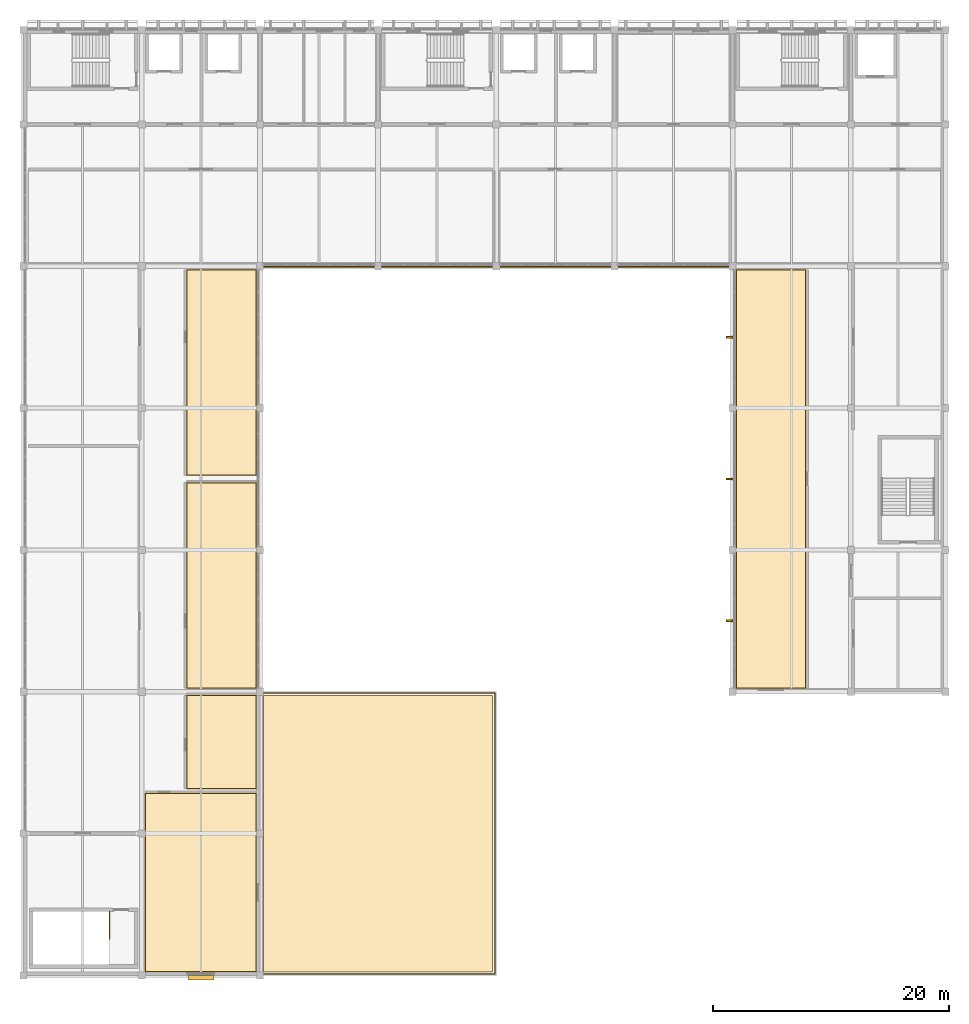
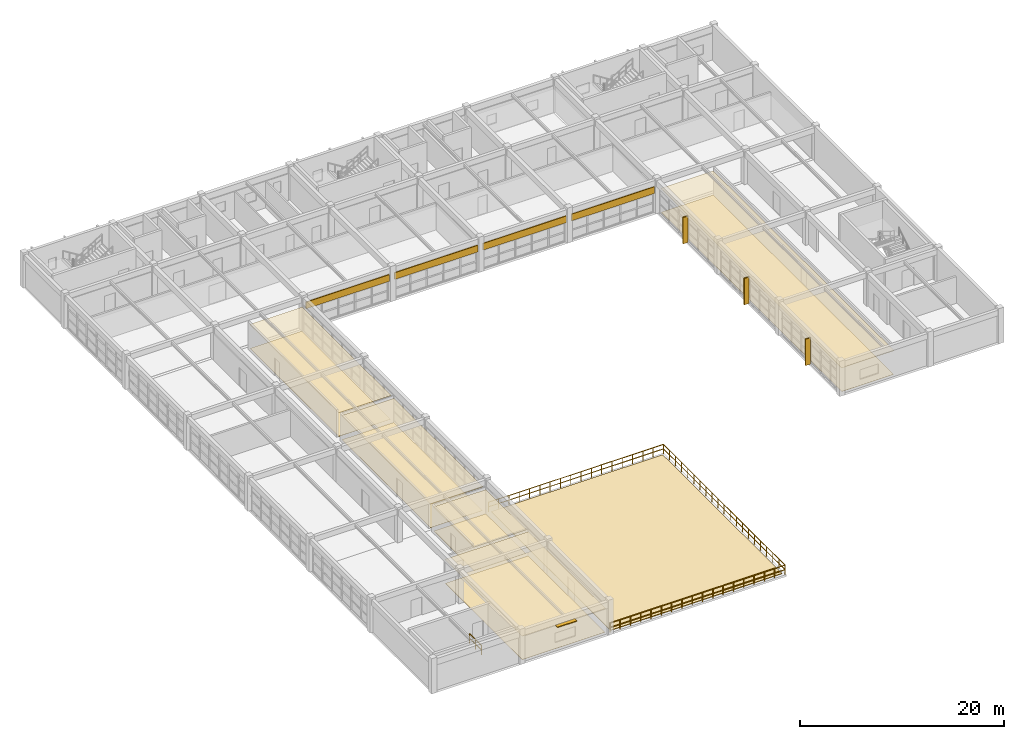
# One storey, part 24 of 28: 15 coverings, 4 railings, 4 shading devices.
"""IFC4 building model written with IfcOpenShell, lengths in metres."""

from ifc_helpers import new_model, si_unit, direction, frame, frame_2d, origin, origin_2d, place, context, subcontext, project, spatial, polyline, rectangle, circle, outline, extrude, material, layer, layer_set, type_object, element, save


model = new_model("IFC4")

# Units and contexts
model_context = context("Model", 3, precision=1e-05, world=origin(), true_north=direction((0.0, 1.0)))
body_context = subcontext(model_context, "Body", "Model", "MODEL_VIEW")
ifc_project = project(units=[si_unit("LENGTHUNIT", "METRE"), si_unit("AREAUNIT", "SQUARE_METRE"), si_unit("VOLUMEUNIT", "CUBIC_METRE"), si_unit("PLANEANGLEUNIT", "RADIAN"), si_unit("MASSUNIT", "GRAM", prefix="KILO")], contexts=[model_context])

# Site, building, storey
site_placement = place(None, origin())
site = spatial("IfcSite", under=ifc_project, at=site_placement, CompositionType="ELEMENT")
building_placement = place(site_placement, origin())
building = spatial("IfcBuilding", under=site, at=building_placement, Name="Kivolera Central Railway Station", CompositionType="ELEMENT")
storey_placement = place(building_placement, frame((0.0, 0.0, 18.60009765625)))
storey = spatial("IfcBuildingStorey", under=building, at=storey_placement, Name="L04", CompositionType="ELEMENT", Elevation=18.60009765625)

# Shading devices
ifc_material_1 = material(Name="Precast concrete C40/50", Category="concrete")
shading_device_type_1 = type_object("IfcShadingDeviceType", Name="BS-FIN-CRT", PredefinedType="USERDEFINED", material=ifc_material_1)
for number, where, z_axis, x_axis, name in (
    (1, (177.735107421875, 84.0, 0.0), (0.0, 0.0, 1.0), (1.0, 0.0, 0.0), "L04 Courtyard East Solar Brise-Soleil Fin G"),
    (2, (177.735107421875, 96.0, 0.0), (0.0, 0.0, 1.0), (1.0, 0.0, 0.0), "L04 Courtyard East Solar Brise-Soleil Fin H"),
    (3, (177.735107421875, 108.0, 0.0), (0.0, 0.0, 1.0), (1.0, 0.0, 0.0), "L04 Courtyard East Solar Brise-Soleil Fin J"),
):
    element("IfcShadingDevice", number, at=place(storey_placement, frame(where, z_axis=z_axis, x_axis=x_axis)), inside=storey, type_object=shading_device_type_1, Name=name, ObjectType="FIN", PredefinedType="USERDEFINED", context=body_context, shape_type="SweptSolid", body=[
        extrude(rectangle(XDim=0.550048828125, YDim=0.139892578125, at=origin_2d()), origin(), (0.0, 0.0, 1.0), 3.14990234375),
    ])
ifc_material_2 = material(Name="Anodised aluminium", Category="aluminium")
ifc_layer_1 = layer(ifc_material_2, 0.080078125, Name="Anodised aluminium")
ifc_layer_set_1 = layer_set([ifc_layer_1], Name="Anodised aluminium")
shading_device_type_2 = type_object("IfcShadingDeviceType", Name="BS-LVR-B", PredefinedType="JALOUSIE", material=ifc_layer_set_1)
shading_device_placement = place(storey_placement, frame((133.0, 53.80810546875, 3.009765625), z_axis=(0.0, 0.0, 1.0), x_axis=(1.0, 0.0, 0.0)))
element("IfcShadingDevice", 4, at=shading_device_placement, inside=storey, type_object=shading_device_type_2, Name="L04 South Monsoon Window Sun-Louvre 128", PredefinedType="JALOUSIE", context=body_context, shape_type="SweptSolid", body=[
    extrude(rectangle(XDim=2.199951171875, YDim=0.39990234375, at=origin_2d()), origin(), (0.0, 0.0, 1.0), 0.080078125),
])

# Coverings
ifc_material_3 = material(Name="Mineral fibre acoustic tile")
ifc_layer_2 = layer(ifc_material_3, 0.02001953125, Name="Mineral fibre acoustic tile")
ifc_layer_set_2 = layer_set([ifc_layer_2], Name="Mineral fibre acoustic tile")
covering_type_1 = type_object("IfcCoveringType", Name="COV-CEIL-20", PredefinedType="CEILING", material=ifc_layer_set_2)
covering_1_placement = place(storey_placement, frame((0.0, 0.0, 2.849853515625)))
element("IfcCovering", 5, at=covering_1_placement, inside=storey, type_object=covering_type_1, Name="L04 Control Floor Refreshment Cafe Acoustic Ceiling", PredefinedType="CEILING", context=body_context, shape_type="SweptSolid", body=[
    extrude(outline(polyline([(131.780029296875, 96.280029296875), (137.719970703125, 96.280029296875), (137.719970703125, 113.719970703125), (131.780029296875, 113.719970703125), (131.780029296875, 96.280029296875)])), origin(), (0.0, 0.0, 1.0), 0.02001953125),
])
covering_2_placement = place(storey_placement, frame((0.0, 0.0, 2.849853515625)))
element("IfcCovering", 6, at=covering_2_placement, inside=storey, type_object=covering_type_1, Name="L04 Rail Diagnostics Analytics Studio Acoustic Ceiling", PredefinedType="CEILING", context=body_context, shape_type="SweptSolid", body=[
    extrude(outline(polyline([(178.280029296875, 78.280029296875), (184.219970703125, 78.280029296875), (184.219970703125, 113.719970703125), (178.280029296875, 113.719970703125), (178.280029296875, 78.280029296875)])), origin(), (0.0, 0.0, 1.0), 0.02001953125),
])
ifc_material_4 = material(Name="Hardwood mvule timber", Category="wood")
ifc_layer_3 = layer(ifc_material_4, 0.02490234375, Name="Hardwood mvule timber")
ifc_layer_set_3 = layer_set([ifc_layer_3], Name="Hardwood mvule timber")
covering_type_2 = type_object("IfcCoveringType", Name="COV-CEIL-25", PredefinedType="CEILING", material=ifc_layer_set_3)
covering_3_placement = place(storey_placement, frame((0.0, 0.0, 2.849853515625)))
element("IfcCovering", 7, at=covering_3_placement, inside=storey, type_object=covering_type_2, Name="L04 Wayside Telemetry Engineering Studio Acoustic Ceiling", PredefinedType="CEILING", context=body_context, shape_type="SweptSolid", body=[
    extrude(outline(polyline([(128.280029296875, 54.280029296875), (137.719970703125, 54.280029296875), (137.719970703125, 69.419921875), (128.280029296875, 69.419921875), (128.280029296875, 54.280029296875)])), origin(), (0.0, 0.0, 1.0), 0.025146484375),
])
ifc_layer_4 = layer(ifc_material_3, 0.030029296875, Name="Mineral fibre acoustic tile")
ifc_layer_set_4 = layer_set([ifc_layer_4], Name="Mineral fibre acoustic tile")
covering_type_3 = type_object("IfcCoveringType", Name="COV-CEIL-30", PredefinedType="CEILING", material=ifc_layer_set_4)
covering_4_placement = place(storey_placement, frame((0.0, 0.0, 2.849853515625)))
element("IfcCovering", 8, at=covering_4_placement, inside=storey, type_object=covering_type_3, Name="L04 Signallers' Quiet Rest Lounge Acoustic Ceiling", PredefinedType="CEILING", context=body_context, shape_type="SweptSolid", body=[
    extrude(outline(polyline([(131.780029296875, 78.280029296875), (137.719970703125, 78.280029296875), (137.719970703125, 95.719970703125), (131.780029296875, 95.719970703125), (131.780029296875, 78.280029296875)])), origin(), (0.0, 0.0, 1.0), 0.030029296875),
])
covering_5_placement = place(storey_placement, frame((0.0, 0.0, 2.849853515625)))
element("IfcCovering", 9, at=covering_5_placement, inside=storey, type_object=covering_type_3, Name="L04 Calibration Instrument Laboratory Acoustic Ceiling", PredefinedType="CEILING", context=body_context, shape_type="SweptSolid", body=[
    extrude(outline(polyline([(131.780029296875, 69.780029296875), (137.719970703125, 69.780029296875), (137.719970703125, 77.719970703125), (131.780029296875, 77.719970703125), (131.780029296875, 69.780029296875)])), origin(), (0.0, 0.0, 1.0), 0.030029296875),
])
ifc_layer_5 = layer(ifc_material_1, 0.090087890625, Name="Precast concrete C40/50")
ifc_layer_set_5 = layer_set([ifc_layer_5], Name="Precast concrete C40/50")
covering_type_4 = type_object("IfcCoveringType", Name="COV-CLAUSTRA-90", PredefinedType="CLADDING", material=ifc_layer_set_5)
for number, where, z_axis, x_axis, name in (
    (10, (147.705078125, 113.9599609375, 2.337890625), (0.0, 0.0, 1.0), (-1.0, 0.0, 0.0), "L04 Monsoon Court Precast Claustra Screen 138"),
    (11, (157.705078125, 113.9599609375, 2.337890625), (0.0, 0.0, 1.0), (-1.0, 0.0, 0.0), "L04 Monsoon Court Precast Claustra Screen 148"),
    (12, (167.705078125, 113.9599609375, 2.337890625), (0.0, 0.0, 1.0), (-1.0, 0.0, 0.0), "L04 Monsoon Court Precast Claustra Screen 158"),
    (13, (177.705078125, 113.9599609375, 2.337890625), (0.0, 0.0, 1.0), (-1.0, 0.0, 0.0), "L04 Monsoon Court Precast Claustra Screen 168"),
):
    element("IfcCovering", number, at=place(storey_placement, frame(where, z_axis=z_axis, x_axis=x_axis)), inside=storey, type_object=covering_type_4, Name=name, PredefinedType="CLADDING", context=body_context, shape_type="SweptSolid", body=[
        extrude(rectangle(XDim=9.41015625, YDim=0.090087890625, at=frame_2d((4.705078125, 0.0))), origin(), (0.0, 0.0, 1.0), 0.800048828125),
    ])
ifc_material_5 = material(Name="Terracotta clay tile", Category="masonry")
ifc_layer_6 = layer(ifc_material_5, 0.02197265625, Name="Terracotta clay tile")
ifc_layer_set_6 = layer_set([ifc_layer_6], Name="Terracotta clay tile")
covering_type_5 = type_object("IfcCoveringType", Name="COV-FLR-22", PredefinedType="FLOORING", material=ifc_layer_set_6)
covering_6_placement = place(storey_placement, origin())
element("IfcCovering", 14, at=covering_6_placement, inside=storey, type_object=covering_type_5, Name="L04 Signallers' Quiet Rest Lounge Floor Finish", PredefinedType="FLOORING", context=body_context, shape_type="SweptSolid", body=[
    extrude(outline(polyline([(131.820068359375, 78.320068359375), (137.679931640625, 78.320068359375), (137.679931640625, 95.679931640625), (131.820068359375, 95.679931640625), (131.820068359375, 78.320068359375)])), origin(), (0.0, 0.0, 1.0), 0.02197265625),
])
covering_7_placement = place(storey_placement, origin())
element("IfcCovering", 15, at=covering_7_placement, inside=storey, type_object=covering_type_5, Name="L04 Control Floor Refreshment Cafe Floor Finish", PredefinedType="FLOORING", context=body_context, shape_type="SweptSolid", body=[
    extrude(outline(polyline([(131.820068359375, 96.320068359375), (137.679931640625, 96.320068359375), (137.679931640625, 113.679931640625), (131.820068359375, 113.679931640625), (131.820068359375, 96.320068359375)])), origin(), (0.0, 0.0, 1.0), 0.02197265625),
])
covering_8_placement = place(storey_placement, origin())
element("IfcCovering", 16, at=covering_8_placement, inside=storey, type_object=covering_type_5, Name="L04 Wayside Telemetry Engineering Studio Floor Finish", PredefinedType="FLOORING", context=body_context, shape_type="SweptSolid", body=[
    extrude(outline(polyline([(128.320068359375, 54.320068359375), (137.679931640625, 54.320068359375), (137.679931640625, 69.3798828125), (128.320068359375, 69.3798828125), (128.320068359375, 54.320068359375)])), origin(), (0.0, 0.0, 1.0), 0.02197265625),
])
covering_9_placement = place(storey_placement, origin())
element("IfcCovering", 17, at=covering_9_placement, inside=storey, type_object=covering_type_5, Name="L04 Calibration Instrument Laboratory Floor Finish", PredefinedType="FLOORING", context=body_context, shape_type="SweptSolid", body=[
    extrude(outline(polyline([(131.820068359375, 69.820068359375), (137.679931640625, 69.820068359375), (137.679931640625, 77.679931640625), (131.820068359375, 77.679931640625), (131.820068359375, 69.820068359375)])), origin(), (0.0, 0.0, 1.0), 0.02197265625),
])
covering_10_placement = place(storey_placement, origin())
element("IfcCovering", 18, at=covering_10_placement, inside=storey, type_object=covering_type_5, Name="L04 Rail Diagnostics Analytics Studio Floor Finish", PredefinedType="FLOORING", context=body_context, shape_type="SweptSolid", body=[
    extrude(outline(polyline([(178.320068359375, 78.320068359375), (184.179931640625, 78.320068359375), (184.179931640625, 113.679931640625), (178.320068359375, 113.679931640625), (178.320068359375, 78.320068359375)])), origin(), (0.0, 0.0, 1.0), 0.02197265625),
])
ifc_layer_7 = layer(ifc_material_5, 0.06494140625, Name="Terracotta clay tile")
ifc_layer_set_7 = layer_set([ifc_layer_7], Name="Terracotta clay tile")
covering_type_6 = type_object("IfcCoveringType", Name="COV-ROOF-TERR-65", PredefinedType="ROOFING", material=ifc_layer_set_7)
covering_11_placement = place(storey_placement, origin())
element("IfcCovering", 19, at=covering_11_placement, inside=storey, type_object=covering_type_6, Name="L04 Monsoon Roof Surfacing COV-L04-TER", PredefinedType="ROOFING", context=body_context, shape_type="SweptSolid", body=[
    extrude(outline(polyline([(138.300048828125, 54.300048828125), (157.699951171875, 54.300048828125), (157.699951171875, 77.699951171875), (138.300048828125, 77.699951171875), (138.300048828125, 54.300048828125)])), origin(), (0.0, 0.0, 1.0), 0.06494140625),
])

# Railings
ifc_layer_8 = layer(ifc_material_2, 0.048095703125, Name="Anodised aluminium")
ifc_layer_set_8 = layer_set([ifc_layer_8], Name="Anodised aluminium")
railing_type_1 = type_object("IfcRailingType", Name="RL-EXT-GUARD-1130", PredefinedType="GUARDRAIL", material=ifc_layer_set_8)
railing_1_placement = place(storey_placement, frame((138.10009765625, 54.10009765625, 0.0)))
element("IfcRailing", 20, at=railing_1_placement, inside=storey, type_object=railing_type_1, Name="L04 Protective Edge Guardrail TER-SW-S", PredefinedType="GUARDRAIL", context=body_context, shape_type="SweptSolid", body=[
    extrude(circle(Radius=0.02392578125, at=origin_2d()), frame((0.0, 0.0, 1.10595703125), z_axis=(1.0, 0.0, 0.0), x_axis=(0.0, 1.0, 0.0)), (0.0, 0.0, 1.0), 19.7998046875),
    extrude(circle(Radius=0.02392578125, at=origin_2d()), frame((0.0, 0.0, 0.56494140625), z_axis=(1.0, 0.0, 0.0), x_axis=(0.0, 1.0, 0.0)), (0.0, 0.0, 1.0), 19.7998046875),
    extrude(circle(Radius=0.02099609375, at=origin_2d()), origin(), (0.0, 0.0, 1.0), 1.081787109375),
    extrude(circle(Radius=0.02099609375, at=origin_2d()), frame((1.164794921875, 0.0, 0.0)), (0.0, 0.0, 1.0), 1.081787109375),
    extrude(circle(Radius=0.02099609375, at=origin_2d()), frame((2.329345703125, 0.0, 0.0)), (0.0, 0.0, 1.0), 1.081787109375),
    extrude(circle(Radius=0.02099609375, at=origin_2d()), frame((3.494140625, 0.0, 0.0)), (0.0, 0.0, 1.0), 1.081787109375),
    extrude(circle(Radius=0.02099609375, at=origin_2d()), frame((4.65869140625, 0.0, 0.0)), (0.0, 0.0, 1.0), 1.081787109375),
    extrude(circle(Radius=0.02099609375, at=origin_2d()), frame((5.823486328125, 0.0, 0.0)), (0.0, 0.0, 1.0), 1.081787109375),
    extrude(circle(Radius=0.02099609375, at=origin_2d()), frame((6.98828125, 0.0, 0.0)), (0.0, 0.0, 1.0), 1.081787109375),
    extrude(circle(Radius=0.02099609375, at=origin_2d()), frame((8.15283203125, 0.0, 0.0)), (0.0, 0.0, 1.0), 1.081787109375),
    extrude(circle(Radius=0.02099609375, at=origin_2d()), frame((9.317626953125, 0.0, 0.0)), (0.0, 0.0, 1.0), 1.081787109375),
    extrude(circle(Radius=0.02099609375, at=origin_2d()), frame((10.482177734375, 0.0, 0.0)), (0.0, 0.0, 1.0), 1.081787109375),
    extrude(circle(Radius=0.02099609375, at=origin_2d()), frame((11.64697265625, 0.0, 0.0)), (0.0, 0.0, 1.0), 1.081787109375),
    extrude(circle(Radius=0.02099609375, at=origin_2d()), frame((12.8115234375, 0.0, 0.0)), (0.0, 0.0, 1.0), 1.081787109375),
    extrude(circle(Radius=0.02099609375, at=origin_2d()), frame((13.976318359375, 0.0, 0.0)), (0.0, 0.0, 1.0), 1.081787109375),
    extrude(circle(Radius=0.02099609375, at=origin_2d()), frame((15.14111328125, 0.0, 0.0)), (0.0, 0.0, 1.0), 1.081787109375),
    extrude(circle(Radius=0.02099609375, at=origin_2d()), frame((16.3056640625, 0.0, 0.0)), (0.0, 0.0, 1.0), 1.081787109375),
    extrude(circle(Radius=0.02099609375, at=origin_2d()), frame((17.470458984375, 0.0, 0.0)), (0.0, 0.0, 1.0), 1.081787109375),
    extrude(circle(Radius=0.02099609375, at=origin_2d()), frame((18.635009765625, 0.0, 0.0)), (0.0, 0.0, 1.0), 1.081787109375),
    extrude(circle(Radius=0.02099609375, at=origin_2d()), frame((19.7998046875, 0.0, 0.0)), (0.0, 0.0, 1.0), 1.081787109375),
])
railing_2_placement = place(storey_placement, frame((157.89990234375, 54.10009765625, 0.0)))
element("IfcRailing", 21, at=railing_2_placement, inside=storey, type_object=railing_type_1, Name="L04 Protective Edge Guardrail TER-SW-E", PredefinedType="GUARDRAIL", context=body_context, shape_type="SweptSolid", body=[
    extrude(circle(Radius=0.02392578125, at=origin_2d()), frame((0.0, 0.0, 1.10595703125), z_axis=(0.0, 1.0, 0.0), x_axis=(-1.0, 0.0, 0.0)), (0.0, 0.0, 1.0), 23.7998046875),
    extrude(circle(Radius=0.02392578125, at=origin_2d()), frame((0.0, 0.0, 0.56494140625), z_axis=(0.0, 1.0, 0.0), x_axis=(-1.0, 0.0, 0.0)), (0.0, 0.0, 1.0), 23.7998046875),
    extrude(circle(Radius=0.02099609375, at=origin_2d()), origin(), (0.0, 0.0, 1.0), 1.081787109375),
    extrude(circle(Radius=0.02099609375, at=origin_2d()), frame((0.0, 1.18994140625, 0.0)), (0.0, 0.0, 1.0), 1.081787109375),
    extrude(circle(Radius=0.02099609375, at=origin_2d()), frame((0.0, 2.3798828125, 0.0)), (0.0, 0.0, 1.0), 1.081787109375),
    extrude(circle(Radius=0.02099609375, at=origin_2d()), frame((0.0, 3.570068359375, 0.0)), (0.0, 0.0, 1.0), 1.081787109375),
    extrude(circle(Radius=0.02099609375, at=origin_2d()), frame((0.0, 4.760009765625, 0.0)), (0.0, 0.0, 1.0), 1.081787109375),
    extrude(circle(Radius=0.02099609375, at=origin_2d()), frame((0.0, 5.949951171875, 0.0)), (0.0, 0.0, 1.0), 1.081787109375),
    extrude(circle(Radius=0.02099609375, at=origin_2d()), frame((0.0, 7.139892578125, 0.0)), (0.0, 0.0, 1.0), 1.081787109375),
    extrude(circle(Radius=0.02099609375, at=origin_2d()), frame((0.0, 8.329833984375, 0.0)), (0.0, 0.0, 1.0), 1.081787109375),
    extrude(circle(Radius=0.02099609375, at=origin_2d()), frame((0.0, 9.52001953125, 0.0)), (0.0, 0.0, 1.0), 1.081787109375),
    extrude(circle(Radius=0.02099609375, at=origin_2d()), frame((0.0, 10.7099609375, 0.0)), (0.0, 0.0, 1.0), 1.081787109375),
    extrude(circle(Radius=0.02099609375, at=origin_2d()), frame((0.0, 11.89990234375, 0.0)), (0.0, 0.0, 1.0), 1.081787109375),
    extrude(circle(Radius=0.02099609375, at=origin_2d()), frame((0.0, 13.08984375, 0.0)), (0.0, 0.0, 1.0), 1.081787109375),
    extrude(circle(Radius=0.02099609375, at=origin_2d()), frame((0.0, 14.27978515625, 0.0)), (0.0, 0.0, 1.0), 1.081787109375),
    extrude(circle(Radius=0.02099609375, at=origin_2d()), frame((0.0, 15.469970703125, 0.0)), (0.0, 0.0, 1.0), 1.081787109375),
    extrude(circle(Radius=0.02099609375, at=origin_2d()), frame((0.0, 16.659912109375, 0.0)), (0.0, 0.0, 1.0), 1.081787109375),
    extrude(circle(Radius=0.02099609375, at=origin_2d()), frame((0.0, 17.849853515625, 0.0)), (0.0, 0.0, 1.0), 1.081787109375),
    extrude(circle(Radius=0.02099609375, at=origin_2d()), frame((0.0, 19.039794921875, 0.0)), (0.0, 0.0, 1.0), 1.081787109375),
    extrude(circle(Radius=0.02099609375, at=origin_2d()), frame((0.0, 20.229736328125, 0.0)), (0.0, 0.0, 1.0), 1.081787109375),
    extrude(circle(Radius=0.02099609375, at=origin_2d()), frame((0.0, 21.419921875, 0.0)), (0.0, 0.0, 1.0), 1.081787109375),
    extrude(circle(Radius=0.02099609375, at=origin_2d()), frame((0.0, 22.60986328125, 0.0)), (0.0, 0.0, 1.0), 1.081787109375),
    extrude(circle(Radius=0.02099609375, at=origin_2d()), frame((0.0, 23.7998046875, 0.0)), (0.0, 0.0, 1.0), 1.081787109375),
])
railing_3_placement = place(storey_placement, frame((138.10009765625, 77.89990234375, 0.0)))
element("IfcRailing", 22, at=railing_3_placement, inside=storey, type_object=railing_type_1, Name="L04 Protective Edge Guardrail TER-SW-N", PredefinedType="GUARDRAIL", context=body_context, shape_type="SweptSolid", body=[
    extrude(circle(Radius=0.02392578125, at=origin_2d()), frame((0.0, 0.0, 1.10595703125), z_axis=(1.0, 0.0, 0.0), x_axis=(0.0, 1.0, 0.0)), (0.0, 0.0, 1.0), 19.7998046875),
    extrude(circle(Radius=0.02392578125, at=origin_2d()), frame((0.0, 0.0, 0.56494140625), z_axis=(1.0, 0.0, 0.0), x_axis=(0.0, 1.0, 0.0)), (0.0, 0.0, 1.0), 19.7998046875),
    extrude(circle(Radius=0.02099609375, at=origin_2d()), origin(), (0.0, 0.0, 1.0), 1.081787109375),
    extrude(circle(Radius=0.02099609375, at=origin_2d()), frame((1.164794921875, 0.0, 0.0)), (0.0, 0.0, 1.0), 1.081787109375),
    extrude(circle(Radius=0.02099609375, at=origin_2d()), frame((2.329345703125, 0.0, 0.0)), (0.0, 0.0, 1.0), 1.081787109375),
    extrude(circle(Radius=0.02099609375, at=origin_2d()), frame((3.494140625, 0.0, 0.0)), (0.0, 0.0, 1.0), 1.081787109375),
    extrude(circle(Radius=0.02099609375, at=origin_2d()), frame((4.65869140625, 0.0, 0.0)), (0.0, 0.0, 1.0), 1.081787109375),
    extrude(circle(Radius=0.02099609375, at=origin_2d()), frame((5.823486328125, 0.0, 0.0)), (0.0, 0.0, 1.0), 1.081787109375),
    extrude(circle(Radius=0.02099609375, at=origin_2d()), frame((6.98828125, 0.0, 0.0)), (0.0, 0.0, 1.0), 1.081787109375),
    extrude(circle(Radius=0.02099609375, at=origin_2d()), frame((8.15283203125, 0.0, 0.0)), (0.0, 0.0, 1.0), 1.081787109375),
    extrude(circle(Radius=0.02099609375, at=origin_2d()), frame((9.317626953125, 0.0, 0.0)), (0.0, 0.0, 1.0), 1.081787109375),
    extrude(circle(Radius=0.02099609375, at=origin_2d()), frame((10.482177734375, 0.0, 0.0)), (0.0, 0.0, 1.0), 1.081787109375),
    extrude(circle(Radius=0.02099609375, at=origin_2d()), frame((11.64697265625, 0.0, 0.0)), (0.0, 0.0, 1.0), 1.081787109375),
    extrude(circle(Radius=0.02099609375, at=origin_2d()), frame((12.8115234375, 0.0, 0.0)), (0.0, 0.0, 1.0), 1.081787109375),
    extrude(circle(Radius=0.02099609375, at=origin_2d()), frame((13.976318359375, 0.0, 0.0)), (0.0, 0.0, 1.0), 1.081787109375),
    extrude(circle(Radius=0.02099609375, at=origin_2d()), frame((15.14111328125, 0.0, 0.0)), (0.0, 0.0, 1.0), 1.081787109375),
    extrude(circle(Radius=0.02099609375, at=origin_2d()), frame((16.3056640625, 0.0, 0.0)), (0.0, 0.0, 1.0), 1.081787109375),
    extrude(circle(Radius=0.02099609375, at=origin_2d()), frame((17.470458984375, 0.0, 0.0)), (0.0, 0.0, 1.0), 1.081787109375),
    extrude(circle(Radius=0.02099609375, at=origin_2d()), frame((18.635009765625, 0.0, 0.0)), (0.0, 0.0, 1.0), 1.081787109375),
    extrude(circle(Radius=0.02099609375, at=origin_2d()), frame((19.7998046875, 0.0, 0.0)), (0.0, 0.0, 1.0), 1.081787109375),
])
ifc_layer_9 = layer(ifc_material_2, 0.048095703125, Name="Anodised aluminium")
ifc_layer_set_9 = layer_set([ifc_layer_9], Name="Anodised aluminium")
railing_type_2 = type_object("IfcRailingType", Name="RL-STAIR-GUARD", PredefinedType="GUARDRAIL", material=ifc_layer_set_9)
railing_4_placement = place(storey_placement, frame((125.2900390625, 59.39990234375, 0.0)))
element("IfcRailing", 23, at=railing_4_placement, inside=storey, type_object=railing_type_2, Name="L04 ST4 top well guard 1", PredefinedType="GUARDRAIL", context=body_context, shape_type="SweptSolid", body=[
    extrude(circle(Radius=0.02392578125, at=origin_2d()), frame((0.0, 0.0, 1.10595703125), z_axis=(0.0, -1.0, 0.0), x_axis=(1.0, 0.0, 0.0)), (0.0, 0.0, 1.0), 2.33984375),
    extrude(circle(Radius=0.02392578125, at=origin_2d()), frame((0.0, 0.0, 0.56494140625), z_axis=(0.0, -1.0, 0.0), x_axis=(1.0, 0.0, 0.0)), (0.0, 0.0, 1.0), 2.33984375),
    extrude(circle(Radius=0.02099609375, at=origin_2d()), origin(), (0.0, 0.0, 1.0), 1.081787109375),
    extrude(circle(Radius=0.02099609375, at=origin_2d()), frame((0.0, -1.169921875, 0.0)), (0.0, 0.0, 1.0), 1.081787109375),
    extrude(circle(Radius=0.02099609375, at=origin_2d()), frame((0.0, -2.33984375, 0.0)), (0.0, 0.0, 1.0), 1.081787109375),
])

save(model, "model.ifc")
